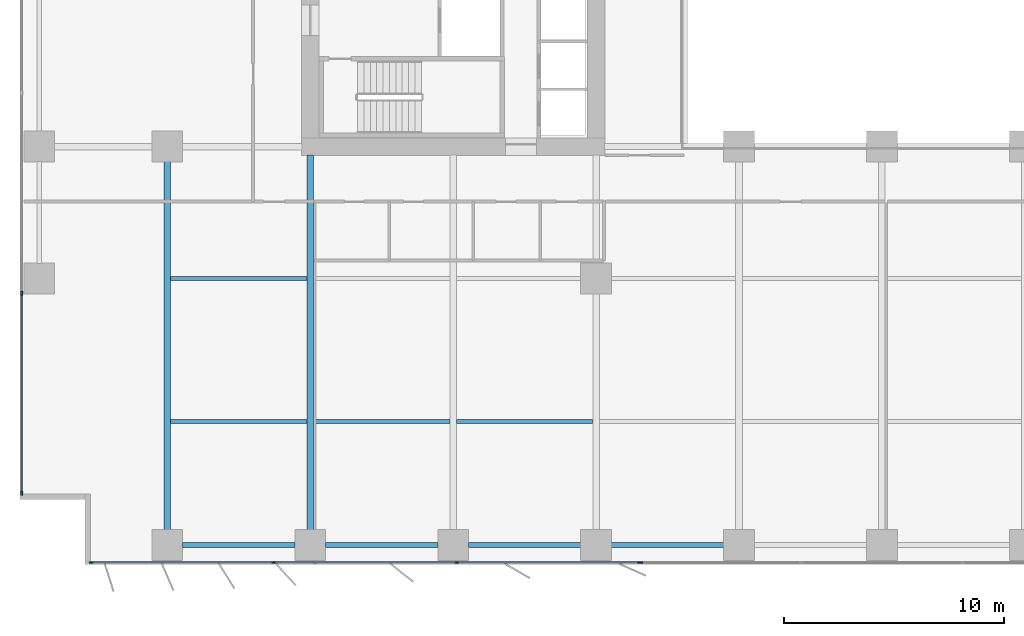
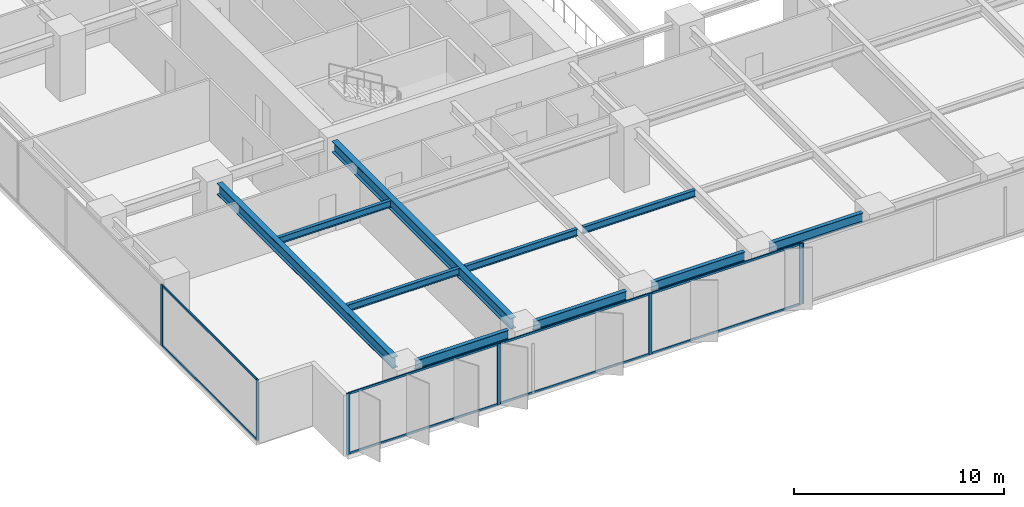
# One storey, part 2 of 20: 15 members, 10 beams, 3 elements without a shape of their own.
"""IFC4 building model written with IfcOpenShell, lengths in metres."""

import ifcopenshell
import ifcopenshell.guid

model = None  # the IFC model being written
_history = None  # IfcOwnerHistory: only IFC2X3 demands one
_inside = {}  # id of a spatial element -> (the spatial element, [elements in it])
_under = {}  # id of a project, library or spatial element -> (it, [spatial elements below it])
_declared = {}  # id of a project -> (the project, [libraries it declares])
_typed = {}  # id of a type object -> (the type object, [elements of that type])
_made_of = {}  # id of a material, layer set ... -> (it, [elements and type objects made of it])


def new_model(schema):
    """Start an empty IFC model of exactly this schema.

    Asked for "IFC4X3", IfcOpenShell would pick the latest addendum, in which some entities
    have other attributes; the version numbers below select the first issue.
    IFC2X3 requires an IfcOwnerHistory on every rooted entity: one is made here for all.
    """
    global model, _history
    if schema == "IFC4X3":
        model = ifcopenshell.file(schema_version=(4, 3, 0, 0))
    else:
        model = ifcopenshell.file(schema=schema)
    _inside.clear()
    _under.clear()
    _declared.clear()
    _typed.clear()
    _made_of.clear()
    _history = None
    if model.schema == "IFC2X3":
        org = make("IfcOrganization", Name="unknown")
        user = make(
            "IfcPersonAndOrganization",
            ThePerson=make("IfcPerson", FamilyName="unknown"),
            TheOrganization=org,
        )
        app = make(
            "IfcApplication",
            ApplicationDeveloper=org,
            Version="unknown",
            ApplicationFullName="unknown",
            ApplicationIdentifier="unknown",
        )
        _history = make(
            "IfcOwnerHistory",
            OwningUser=user,
            OwningApplication=app,
            ChangeAction="ADDED",
            CreationDate=0,
        )
    return model


def make(cls, **values):
    """One entity of the class cls with the attributes given. An attribute that is None is left unset."""
    return model.create_entity(
        cls, **{name: value for name, value in values.items() if value is not None}
    )


def rooted(cls, **values):
    """An entity with a GlobalId (a new one), such as an element, a storey or a relation."""
    return make(cls, GlobalId=ifcopenshell.guid.new(), OwnerHistory=_history, **values)


def si_unit(unit_type, name, prefix=None):
    """IfcSIUnit, for example si_unit("LENGTHUNIT", "METRE", prefix="MILLI")."""
    return make("IfcSIUnit", UnitType=unit_type, Prefix=prefix, Name=name)


def assignment(units):
    """IfcUnitAssignment: the units of a project."""
    return None if units is None else make("IfcUnitAssignment", Units=units)


def point(xyz):
    """IfcCartesianPoint."""
    return None if xyz is None else make("IfcCartesianPoint", Coordinates=xyz)


def direction(xyz):
    """IfcDirection."""
    return None if xyz is None else make("IfcDirection", DirectionRatios=xyz)


def frame(location, z_axis=None, x_axis=None):
    """IfcAxis2Placement3D, a coordinate frame: its origin and axes. An axis left out is left unset."""
    return make(
        "IfcAxis2Placement3D",
        Location=point(location),
        Axis=direction(z_axis),
        RefDirection=direction(x_axis),
    )


def frame_2d(location, x_axis=None):
    """IfcAxis2Placement2D, a coordinate frame in the plane: its origin and x axis."""
    return make(
        "IfcAxis2Placement2D", Location=point(location), RefDirection=direction(x_axis)
    )


def origin():
    """The frame at (0, 0, 0) with its axes left unset."""
    return frame((0.0, 0.0, 0.0))


def origin_2d():
    """The frame at (0, 0) in the plane with its x axis left unset."""
    return frame_2d((0.0, 0.0))


def place(relative_to, where):
    """IfcLocalPlacement: puts the frame where relative to a parent placement (None: the world)."""
    return make(
        "IfcLocalPlacement", PlacementRelTo=relative_to, RelativePlacement=where
    )


def context(
    kind, dimensions, precision=None, world=None, true_north=None, identifier=None
):
    """IfcGeometricRepresentationContext, for example the 3D "Model" context."""
    return make(
        "IfcGeometricRepresentationContext",
        ContextIdentifier=identifier,
        ContextType=kind,
        CoordinateSpaceDimension=dimensions,
        Precision=precision,
        WorldCoordinateSystem=world,
        TrueNorth=true_north,
    )


def subcontext(parent, identifier, kind, view, scale=None):
    """IfcGeometricRepresentationSubContext, for example "Body" below "Model"."""
    return make(
        "IfcGeometricRepresentationSubContext",
        ContextIdentifier=identifier,
        ContextType=kind,
        ParentContext=parent,
        TargetScale=scale,
        TargetView=view,
    )


def project(units=None, contexts=None):
    """IfcProject with its units and contexts."""
    return rooted(
        "IfcProject",
        Name="project",
        RepresentationContexts=contexts,
        UnitsInContext=assignment(units),
    )


def spatial(cls, under=None, at=None, **own):
    """A site, building, storey or space (cls), placed at a placement, below another one or the project."""
    s = rooted(cls, ObjectPlacement=at, **own)
    if under is not None:
        _under.setdefault(under.id(), (under, []))[1].append(s)
    return s


def profile(cls, at=None, kind="AREA", **sizes):
    """A parametric profile (cls). Its sizes go by their IFC names, for example OverallWidth=200.0."""
    return make(cls, ProfileType=kind, Position=at, **sizes)


def rectangle(**sizes):
    """IfcRectangleProfileDef."""
    return profile("IfcRectangleProfileDef", **sizes)


def i_section(**sizes):
    """IfcIShapeProfileDef."""
    return profile("IfcIShapeProfileDef", **sizes)


def extrude(swept, where, along, depth):
    """IfcExtrudedAreaSolid: the profile swept, set in the frame where, extruded along a direction by depth."""
    return make(
        "IfcExtrudedAreaSolid",
        SweptArea=swept,
        Position=where,
        ExtrudedDirection=direction(along),
        Depth=depth,
    )


def shape(context_of_items, identifier, shape_type, items):
    """IfcShapeRepresentation: the items that make up one representation, for example the "Body"."""
    return make(
        "IfcShapeRepresentation",
        ContextOfItems=context_of_items,
        RepresentationIdentifier=identifier,
        RepresentationType=shape_type,
        Items=items,
    )


def material(Name=None, Category=None):
    """IfcMaterial."""
    return make("IfcMaterial", Name=Name, Category=Category)


def layer(
    of_material, thickness, ventilated=None, Name=None, Category=None, Priority=None
):
    """IfcMaterialLayer: one layer of a wall or slab, of a material (None: an air gap)."""
    return make(
        "IfcMaterialLayer",
        Material=of_material,
        LayerThickness=thickness,
        IsVentilated=ventilated,
        Name=Name,
        Category=Category,
        Priority=Priority,
    )


def layer_set(layers, Name=None):
    """IfcMaterialLayerSet."""
    return make("IfcMaterialLayerSet", MaterialLayers=layers, LayerSetName=Name)


def material_profile(
    of_material, cross_section, Name=None, Category=None, Priority=None
):
    """IfcMaterialProfile: a cross section and its material."""
    return make(
        "IfcMaterialProfile",
        Name=Name,
        Material=of_material,
        Profile=cross_section,
        Priority=Priority,
        Category=Category,
    )


def profile_set(profiles, Name=None, composite=None):
    """IfcMaterialProfileSet."""
    return make(
        "IfcMaterialProfileSet",
        Name=Name,
        MaterialProfiles=profiles,
        CompositeProfile=composite,
    )


def made_of(thing, what):
    """Note that an element or type object is made of a material, layer set ...; save() writes the relation."""
    if what is not None:
        _made_of.setdefault(what.id(), (what, []))[1].append(thing)
    return thing


def type_object(cls, material=None, **own):
    """A type object (cls), such as IfcWallType, which elements share."""
    return made_of(rooted(cls, **own), material)


def element(
    cls,
    number,
    at=None,
    inside=None,
    cuts=None,
    type_object=None,
    material=None,
    context=None,
    identifier="Body",
    shape_type=None,
    held_by="IfcProductDefinitionShape",
    body=None,
    shapes=None,
    **own,
):
    """One element of the class cls, such as IfcWall. Its Tag is "e" and its number.

    at: its placement. inside: the storey or other place that contains it. cuts: it is an
    opening in that element (IfcRelVoidsElement). A single representation is given by context,
    identifier, shape_type and body (its items); several are given by shapes. held_by: the class
    of the entity that holds the representations. save() writes the other relations.
    """
    e = rooted(cls, Tag="e%d" % number, ObjectPlacement=at, **own)
    if body is not None:
        shapes = [shape(context, identifier, shape_type, body)]
    if shapes is not None:
        e.Representation = make(held_by, Representations=shapes)
    if inside is not None:
        _inside.setdefault(inside.id(), (inside, []))[1].append(e)
    if cuts is not None:
        rooted(
            "IfcRelVoidsElement", RelatingBuildingElement=cuts, RelatedOpeningElement=e
        )
    if type_object is not None:
        _typed.setdefault(type_object.id(), (type_object, []))[1].append(e)
    return made_of(e, material)


def aggregate(whole, parts):
    """IfcRelAggregates: a whole, such as a stair, and the parts it consists of."""
    return rooted("IfcRelAggregates", RelatingObject=whole, RelatedObjects=parts)


def save(model, path):
    """Write the relations noted so far, then the file.

    IfcRelAggregates (storeys below a building ...), IfcRelContainedInSpatialStructure (elements
    in a storey), IfcRelDefinesByType, IfcRelAssociatesMaterial and IfcRelDeclares: one each for
    every whole, place, type object, material and project.
    """
    for whole, parts in _under.values():
        aggregate(whole, parts)
    for where, things in _inside.values():
        rooted(
            "IfcRelContainedInSpatialStructure",
            RelatedElements=things,
            RelatingStructure=where,
        )
    for kind, things in _typed.values():
        rooted("IfcRelDefinesByType", RelatedObjects=things, RelatingType=kind)
    for what, things in _made_of.values():
        rooted("IfcRelAssociatesMaterial", RelatedObjects=things, RelatingMaterial=what)
    for by, libraries in _declared.values():
        rooted("IfcRelDeclares", RelatingContext=by, RelatedDefinitions=libraries)
    model.write(path)


model = new_model("IFC4")

# Units and contexts
model_context = context("Model", 3, precision=1e-05, world=origin(), true_north=direction((0.0, 1.0)))
body_context = subcontext(model_context, "Body", "Model", "MODEL_VIEW")
ifc_project = project(units=[si_unit("LENGTHUNIT", "METRE"), si_unit("AREAUNIT", "SQUARE_METRE"), si_unit("VOLUMEUNIT", "CUBIC_METRE"), si_unit("PLANEANGLEUNIT", "RADIAN"), si_unit("MASSUNIT", "GRAM", prefix="KILO")], contexts=[model_context])

# Site, building, storey
site_placement = place(None, origin())
site = spatial("IfcSite", under=ifc_project, at=site_placement, CompositionType="ELEMENT")
building_placement = place(site_placement, origin())
building = spatial("IfcBuilding", under=site, at=building_placement, Name="Putna Gate Headquarters", CompositionType="ELEMENT")
storey_placement = place(building_placement, frame((0.0, 0.0, 46.800048828125)))
storey = spatial("IfcBuildingStorey", under=building, at=storey_placement, Name="L10", CompositionType="ELEMENT", Elevation=46.800048828125)

# Beams
ifc_material_1 = material(Name="Steel S355J2", Category="steel")
ifc_material_profile_1 = material_profile(ifc_material_1, i_section(OverallWidth=0.300048828125, OverallDepth=0.64990234375, WebThickness=0.01611328125, FlangeThickness=0.031005859375, at=origin_2d()), Name="Steel S355J2")
ifc_profile_set_1 = profile_set([ifc_material_profile_1], Name="Steel S355J2")
beam_type_1 = type_object("IfcBeamType", Name="BM-GIRD-Z1-HEB650", PredefinedType="USERDEFINED", material=ifc_profile_set_1)
beam_1_placement = place(storey_placement, frame((6.5, 1.568115234375, 3.224853515625), z_axis=(0.0, 1.0, 0.0), x_axis=(-1.0, 0.0, 0.0)))
element("IfcBeam", 1, at=beam_1_placement, inside=storey, type_object=beam_type_1, Name="L10 South Primary Girder X6", ObjectType="GIRDER", PredefinedType="USERDEFINED", context=body_context, shape_type="SweptSolid", body=[
    extrude(i_section(OverallWidth=0.300048828125, OverallDepth=0.64990234375, WebThickness=0.01611328125, FlangeThickness=0.031005859375, at=origin_2d()), origin(), (0.0, 0.0, 1.0), 16.743896484375),
])
beam_2_placement = place(storey_placement, frame((13.0, 1.568115234375, 3.224853515625), z_axis=(0.0, 1.0, 0.0), x_axis=(-1.0, 0.0, 0.0)))
element("IfcBeam", 2, at=beam_2_placement, inside=storey, type_object=beam_type_1, Name="L10 South Primary Girder X13", ObjectType="GIRDER", PredefinedType="USERDEFINED", context=body_context, shape_type="SweptSolid", body=[
    extrude(i_section(OverallWidth=0.300048828125, OverallDepth=0.64990234375, WebThickness=0.01611328125, FlangeThickness=0.031005859375, at=origin_2d()), origin(), (0.0, 0.0, 1.0), 17.046875),
])
ifc_material_profile_2 = material_profile(ifc_material_1, i_section(OverallWidth=0.179931640625, OverallDepth=0.39990234375, WebThickness=0.008544921875, FlangeThickness=0.013427734375, at=origin_2d()), Name="Steel S355J2")
ifc_profile_set_2 = profile_set([ifc_material_profile_2], Name="Steel S355J2")
beam_type_2 = type_object("IfcBeamType", Name="BM-SEC-Z1-IPE400", PredefinedType="BEAM", material=ifc_profile_set_2)
for number, where, z_axis, x_axis, name in (
    (3, (6.654052734375, 6.5, 3.349853515625), (1.0, 0.0, 0.0), (0.0, 1.0, 0.0), "L10 South Secondary Beam 1"),
    (4, (6.654052734375, 13.0, 3.349853515625), (1.0, 0.0, 0.0), (0.0, 1.0, 0.0), "L10 South Secondary Beam 1"),
    (5, (13.154052734375, 6.5, 3.349853515625), (1.0, 0.0, 0.0), (0.0, 1.0, 0.0), "L10 South Secondary Beam 2"),
    (6, (19.654052734375, 6.5, 3.349853515625), (1.0, 0.0, 0.0), (0.0, 1.0, 0.0), "L10 South Secondary Beam 3"),
):
    element("IfcBeam", number, at=place(storey_placement, frame(where, z_axis=z_axis, x_axis=x_axis)), inside=storey, type_object=beam_type_2, Name=name, PredefinedType="BEAM", context=body_context, shape_type="SweptSolid", body=[
        extrude(i_section(OverallWidth=0.179931640625, OverallDepth=0.39990234375, WebThickness=0.008544921875, FlangeThickness=0.013427734375, at=origin_2d()), origin(), (0.0, 0.0, 1.0), 6.19189453125),
    ])
ifc_material_profile_3 = material_profile(ifc_material_1, i_section(OverallWidth=0.2099609375, OverallDepth=0.550048828125, WebThickness=0.010986328125, FlangeThickness=0.01708984375, at=origin_2d()), Name="Steel S355J2")
ifc_profile_set_3 = profile_set([ifc_material_profile_3], Name="Steel S355J2")
beam_type_3 = type_object("IfcBeamType", Name="BM-SPAN-Z1-IPE550", PredefinedType="SPANDREL", material=ifc_profile_set_3)
for number, where, z_axis, x_axis, name in (
    (7, (7.18798828125, 0.8798828125, 3.27490234375), (1.0, 0.0, 0.0), (0.0, 1.0, 0.0), "L10 S Perimeter Spandrel 1"),
    (8, (13.68798828125, 0.8798828125, 3.27490234375), (1.0, 0.0, 0.0), (0.0, 1.0, 0.0), "L10 S Perimeter Spandrel 2"),
    (9, (20.18798828125, 0.8798828125, 3.27490234375), (1.0, 0.0, 0.0), (0.0, 1.0, 0.0), "L10 S Perimeter Spandrel 3"),
    (10, (26.68798828125, 0.8798828125, 3.27490234375), (1.0, 0.0, 0.0), (0.0, 1.0, 0.0), "L10 S Perimeter Spandrel 4"),
):
    element("IfcBeam", number, at=place(storey_placement, frame(where, z_axis=z_axis, x_axis=x_axis)), inside=storey, type_object=beam_type_3, Name=name, PredefinedType="SPANDREL", context=body_context, shape_type="SweptSolid", body=[
        extrude(i_section(OverallWidth=0.2099609375, OverallDepth=0.550048828125, WebThickness=0.010986328125, FlangeThickness=0.01708984375, at=origin_2d()), origin(), (0.0, 0.0, 1.0), 5.1240234375),
    ])

# Curtain wall, members
ifc_material_2 = material(Name="Anodised bronze aluminium curtain wall", Category="aluminium")
ifc_layer_1 = layer(ifc_material_2, 0.179931640625)
ifc_layer_set_1 = layer_set([ifc_layer_1], Name="Anodised bronze aluminium curtain wall")
curtain_wall_type_1 = type_object("IfcCurtainWallType", Name="CW-SYS-Z1", PredefinedType="USERDEFINED", material=ifc_layer_set_1)
curtain_wall_1_placement = place(storey_placement, origin())
curtain_wall_1 = element("IfcCurtainWall", 11, at=curtain_wall_1_placement, inside=storey, type_object=curtain_wall_type_1, Name="L10 South West Curtain Wall", ObjectType="STICK CURTAIN WALL", PredefinedType="USERDEFINED")
ifc_material_3 = material(Name="Anodised bronze aluminium EN AW-6060", Category="aluminium")
ifc_material_profile_4 = material_profile(ifc_material_3, rectangle(XDim=0.070068359375, YDim=0.179931640625, at=origin_2d()), Name="Anodised bronze aluminium EN AW-6060")
ifc_profile_set_4 = profile_set([ifc_material_profile_4], Name="Anodised bronze aluminium EN AW-6060")
member_type_1 = type_object("IfcMemberType", Name="MULL-CWM-1", PredefinedType="MULLION", material=ifc_profile_set_4)
member_1_placement = place(storey_placement, frame((3.034912109375, 0.080078125, 0.0), z_axis=(0.0, 0.0, 1.0), x_axis=(0.0, 1.0, 0.0)))
member_1 = element("IfcMember", 12, at=member_1_placement, type_object=member_type_1, Name="CWS-1 mullion 1", PredefinedType="MULLION", context=body_context, shape_type="SweptSolid", body=[
    extrude(rectangle(XDim=0.070068359375, YDim=0.179931640625, at=origin_2d()), origin(), (0.0, 0.0, 1.0), 3.550048828125),
])
member_2_placement = place(storey_placement, frame((11.333251953125, 0.080078125, 0.0), z_axis=(0.0, 0.0, 1.0), x_axis=(0.0, 1.0, 0.0)))
member_2 = element("IfcMember", 13, at=member_2_placement, type_object=member_type_1, Name="CWS-1 mullion 2", PredefinedType="MULLION", context=body_context, shape_type="SweptSolid", body=[
    extrude(rectangle(XDim=0.070068359375, YDim=0.179931640625, at=origin_2d()), origin(), (0.0, 0.0, 1.0), 3.550048828125),
])
member_3_placement = place(storey_placement, frame((19.666748046875, 0.080078125, 0.0), z_axis=(0.0, 0.0, 1.0), x_axis=(0.0, 1.0, 0.0)))
member_3 = element("IfcMember", 14, at=member_3_placement, type_object=member_type_1, Name="CWS-1 mullion 3", PredefinedType="MULLION", context=body_context, shape_type="SweptSolid", body=[
    extrude(rectangle(XDim=0.070068359375, YDim=0.179931640625, at=origin_2d()), origin(), (0.0, 0.0, 1.0), 3.550048828125),
])
member_4_placement = place(storey_placement, frame((27.965087890625, 0.080078125, 0.0), z_axis=(0.0, 0.0, 1.0), x_axis=(0.0, 1.0, 0.0)))
member_4 = element("IfcMember", 15, at=member_4_placement, type_object=member_type_1, Name="CWS-1 mullion 4", PredefinedType="MULLION", context=body_context, shape_type="SweptSolid", body=[
    extrude(rectangle(XDim=0.070068359375, YDim=0.179931640625, at=origin_2d()), origin(), (0.0, 0.0, 1.0), 3.550048828125),
])

curtain_wall_2_placement = place(storey_placement, origin())
curtain_wall_2 = element("IfcCurtainWall", 16, at=curtain_wall_2_placement, inside=storey, type_object=curtain_wall_type_1, Name="L10 West Curtain Wall", ObjectType="STICK CURTAIN WALL", PredefinedType="USERDEFINED")
member_5_placement = place(storey_placement, frame((-0.1201171875, 3.235107421875, 0.0), z_axis=(0.0, 0.0, 1.0), x_axis=(-1.0, 0.0, 0.0)))
member_5 = element("IfcMember", 17, at=member_5_placement, type_object=member_type_1, Name="CWS-1 mullion 1", PredefinedType="MULLION", context=body_context, shape_type="SweptSolid", body=[
    extrude(rectangle(XDim=0.070068359375, YDim=0.179931640625, at=origin_2d()), origin(), (0.0, 0.0, 1.0), 3.550048828125),
])
member_6_placement = place(storey_placement, frame((-0.1201171875, 12.320068359375, 0.0), z_axis=(0.0, 0.0, 1.0), x_axis=(-1.0, 0.0, 0.0)))
member_6 = element("IfcMember", 18, at=member_6_placement, type_object=member_type_1, Name="CWS-1 mullion 2", PredefinedType="MULLION", context=body_context, shape_type="SweptSolid", body=[
    extrude(rectangle(XDim=0.070068359375, YDim=0.179931640625, at=origin_2d()), origin(), (0.0, 0.0, 1.0), 3.550048828125),
])

# Curtain wall, member
ifc_layer_2 = layer(ifc_material_2, 0.179931640625)
ifc_layer_set_2 = layer_set([ifc_layer_2], Name="Anodised bronze aluminium curtain wall")
curtain_wall_type_2 = type_object("IfcCurtainWallType", Name="CW-SYS-ATR", PredefinedType="USERDEFINED", material=ifc_layer_set_2)
curtain_wall_3_placement = place(storey_placement, origin())
curtain_wall_3 = element("IfcCurtainWall", 19, at=curtain_wall_3_placement, inside=storey, type_object=curtain_wall_type_2, Name="L10 South Atrium Clear Glazing", ObjectType="ATRIUM GLAZING", PredefinedType="USERDEFINED")
ifc_material_profile_5 = material_profile(ifc_material_3, rectangle(XDim=0.070068359375, YDim=0.179931640625, at=origin_2d()), Name="Anodised bronze aluminium EN AW-6060")
ifc_profile_set_5 = profile_set([ifc_material_profile_5], Name="Anodised bronze aluminium EN AW-6060")
member_type_2 = type_object("IfcMemberType", Name="MULL-CWM-AT", PredefinedType="MULLION", material=ifc_profile_set_5)
member_7_placement = place(storey_placement, frame((28.034912109375, 0.080078125, 0.0), z_axis=(0.0, 0.0, 1.0), x_axis=(0.0, 1.0, 0.0)))
member_7 = element("IfcMember", 20, at=member_7_placement, type_object=member_type_2, Name="CWS-AT mullion 1", PredefinedType="MULLION", context=body_context, shape_type="SweptSolid", body=[
    extrude(rectangle(XDim=0.070068359375, YDim=0.179931640625, at=origin_2d()), origin(), (0.0, 0.0, 1.0), 3.550048828125),
])
aggregate(curtain_wall_3, [member_7])

# Member
ifc_material_profile_6 = material_profile(ifc_material_3, rectangle(XDim=0.06494140625, YDim=0.1201171875, at=origin_2d()), Name="Anodised bronze aluminium EN AW-6060")
ifc_profile_set_6 = profile_set([ifc_material_profile_6], Name="Anodised bronze aluminium EN AW-6060")
member_type_3 = type_object("IfcMemberType", Name="TRAN-CWT-1", PredefinedType="USERDEFINED", material=ifc_profile_set_6)
member_8_placement = place(storey_placement, frame((3.070068359375, 0.080078125, 0.032470703125), z_axis=(1.0, 0.0, 0.0), x_axis=(0.0, 1.0, 0.0)))
member_8 = element("IfcMember", 21, at=member_8_placement, type_object=member_type_3, Name="CWS-1 transom 1.1", ObjectType="TRANSOM", PredefinedType="USERDEFINED", context=body_context, shape_type="SweptSolid", body=[
    extrude(rectangle(XDim=0.06494140625, YDim=0.1201171875, at=origin_2d()), origin(), (0.0, 0.0, 1.0), 8.228271484375),
])

member_9_placement = place(storey_placement, frame((3.070068359375, 0.080078125, 3.517333984375), z_axis=(1.0, 0.0, 0.0), x_axis=(0.0, 1.0, 0.0)))
member_9 = element("IfcMember", 22, at=member_9_placement, type_object=member_type_3, Name="CWS-1 transom 1.2", ObjectType="TRANSOM", PredefinedType="USERDEFINED", context=body_context, shape_type="SweptSolid", body=[
    extrude(rectangle(XDim=0.06494140625, YDim=0.1201171875, at=origin_2d()), origin(), (0.0, 0.0, 1.0), 8.228271484375),
])

member_10_placement = place(storey_placement, frame((11.368408203125, 0.080078125, 0.032470703125), z_axis=(1.0, 0.0, 0.0), x_axis=(0.0, 1.0, 0.0)))
member_10 = element("IfcMember", 23, at=member_10_placement, type_object=member_type_3, Name="CWS-1 transom 2.1", ObjectType="TRANSOM", PredefinedType="USERDEFINED", context=body_context, shape_type="SweptSolid", body=[
    extrude(rectangle(XDim=0.06494140625, YDim=0.1201171875, at=origin_2d()), origin(), (0.0, 0.0, 1.0), 8.26318359375),
])

member_11_placement = place(storey_placement, frame((11.368408203125, 0.080078125, 3.517333984375), z_axis=(1.0, 0.0, 0.0), x_axis=(0.0, 1.0, 0.0)))
member_11 = element("IfcMember", 24, at=member_11_placement, type_object=member_type_3, Name="CWS-1 transom 2.2", ObjectType="TRANSOM", PredefinedType="USERDEFINED", context=body_context, shape_type="SweptSolid", body=[
    extrude(rectangle(XDim=0.06494140625, YDim=0.1201171875, at=origin_2d()), origin(), (0.0, 0.0, 1.0), 8.26318359375),
])

member_12_placement = place(storey_placement, frame((19.70166015625, 0.080078125, 0.032470703125), z_axis=(1.0, 0.0, 0.0), x_axis=(0.0, 1.0, 0.0)))
member_12 = element("IfcMember", 25, at=member_12_placement, type_object=member_type_3, Name="CWS-1 transom 3.1", ObjectType="TRANSOM", PredefinedType="USERDEFINED", context=body_context, shape_type="SweptSolid", body=[
    extrude(rectangle(XDim=0.06494140625, YDim=0.1201171875, at=origin_2d()), origin(), (0.0, 0.0, 1.0), 8.228271484375),
])

member_13_placement = place(storey_placement, frame((19.70166015625, 0.080078125, 3.517333984375), z_axis=(1.0, 0.0, 0.0), x_axis=(0.0, 1.0, 0.0)))
member_13 = element("IfcMember", 26, at=member_13_placement, type_object=member_type_3, Name="CWS-1 transom 3.2", ObjectType="TRANSOM", PredefinedType="USERDEFINED", context=body_context, shape_type="SweptSolid", body=[
    extrude(rectangle(XDim=0.06494140625, YDim=0.1201171875, at=origin_2d()), origin(), (0.0, 0.0, 1.0), 8.228271484375),
])

aggregate(curtain_wall_1, [member_1, member_2, member_3, member_4, member_8, member_9, member_10, member_11, member_12, member_13])

member_14_placement = place(storey_placement, frame((-0.1201171875, 3.27001953125, 0.032470703125), z_axis=(0.0, 1.0, 0.0), x_axis=(-1.0, 0.0, 0.0)))
member_14 = element("IfcMember", 27, at=member_14_placement, type_object=member_type_3, Name="CWS-1 transom 1.1", ObjectType="TRANSOM", PredefinedType="USERDEFINED", context=body_context, shape_type="SweptSolid", body=[
    extrude(rectangle(XDim=0.06494140625, YDim=0.1201171875, at=origin_2d()), origin(), (0.0, 0.0, 1.0), 9.014892578125),
])

member_15_placement = place(storey_placement, frame((-0.1201171875, 3.27001953125, 3.517333984375), z_axis=(0.0, 1.0, 0.0), x_axis=(-1.0, 0.0, 0.0)))
member_15 = element("IfcMember", 28, at=member_15_placement, type_object=member_type_3, Name="CWS-1 transom 1.2", ObjectType="TRANSOM", PredefinedType="USERDEFINED", context=body_context, shape_type="SweptSolid", body=[
    extrude(rectangle(XDim=0.06494140625, YDim=0.1201171875, at=origin_2d()), origin(), (0.0, 0.0, 1.0), 9.014892578125),
])

aggregate(curtain_wall_2, [member_5, member_6, member_14, member_15])

save(model, "model.ifc")
